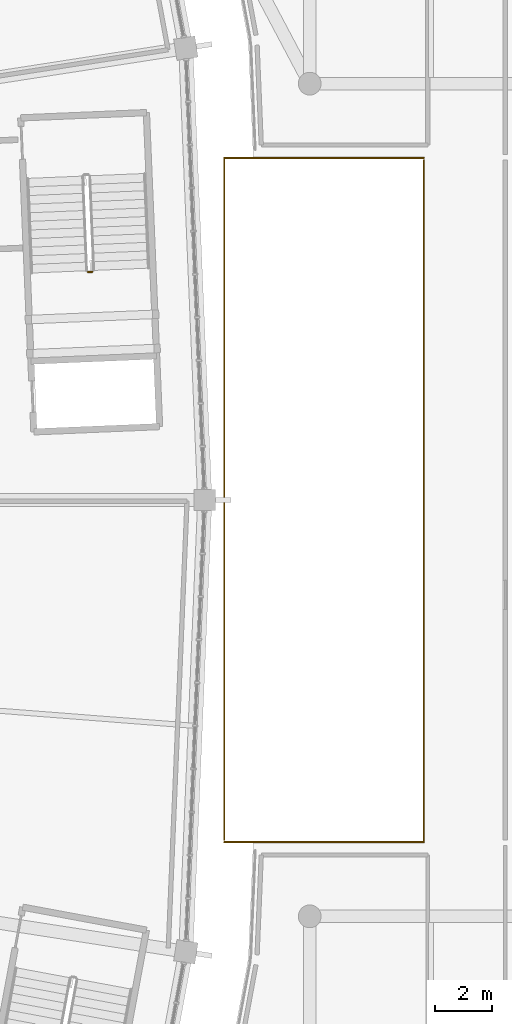
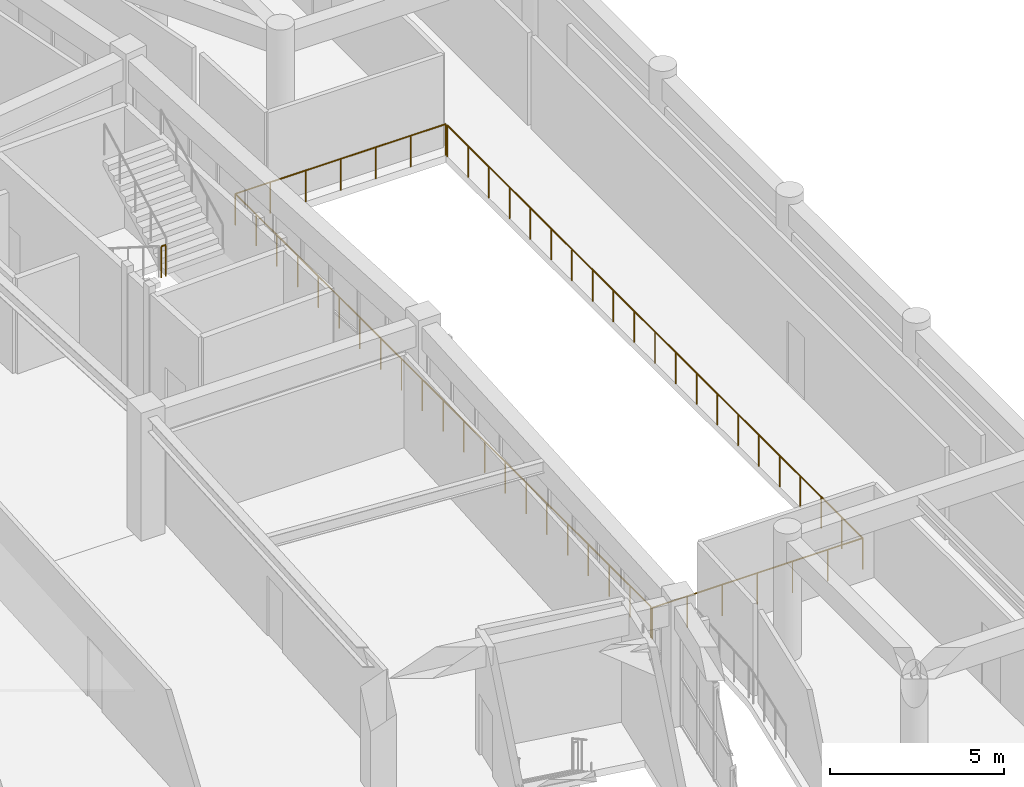
# One storey, part 129 of 141: 3 railings.
"""IFC4 building model written with IfcOpenShell, lengths in metres."""

from ifc_helpers import new_model, si_unit, direction, frame, origin, origin_2d, place, context, subcontext, project, spatial, circle, extrude, material, type_object, element, save


model = new_model("IFC4")

# Units and contexts
model_context = context("Model", 3, precision=1e-05, world=origin(), true_north=direction((0.0, 1.0)))
body_context = subcontext(model_context, "Body", "Model", "MODEL_VIEW")
ifc_project = project(units=[si_unit("LENGTHUNIT", "METRE"), si_unit("AREAUNIT", "SQUARE_METRE"), si_unit("VOLUMEUNIT", "CUBIC_METRE"), si_unit("PLANEANGLEUNIT", "RADIAN"), si_unit("MASSUNIT", "GRAM", prefix="KILO")], contexts=[model_context])

# Site, building, storey
site_placement = place(None, origin())
site = spatial("IfcSite", under=ifc_project, at=site_placement, CompositionType="ELEMENT")
building_placement = place(site_placement, origin())
building = spatial("IfcBuilding", under=site, at=building_placement, Name="Mphavela Belvedere Stadium", CompositionType="ELEMENT")
storey_placement = place(building_placement, frame((0.0, 0.0, 14.699951171875)))
storey = spatial("IfcBuildingStorey", under=building, at=storey_placement, Name="L03", CompositionType="ELEMENT", Elevation=14.699951171875)

# Railings
ifc_material_1 = material(Name="Bronze and laminated glass stadium balustrade", Category="glass")
railing_type_1 = type_object("IfcRailingType", Name="RAL-BALUSTRADE-1120", PredefinedType="BALUSTRADE", material=ifc_material_1)
railing_1_placement = place(storey_placement, frame((218.5, 75.0, 0.0)))
element("IfcRailing", 1, at=railing_1_placement, inside=storey, type_object=railing_type_1, Name="East Planted Eaves Peristyle Colonnade court balustrade L03-A", PredefinedType="BALUSTRADE", context=body_context, shape_type="SweptSolid", body=[
    extrude(circle(Radius=0.02392578125, at=origin_2d()), frame((0.0, 0.0, 1.09619140625), z_axis=(1.0, 0.0, 0.0), x_axis=(0.0, 1.0, 0.0)), (0.0, 0.0, 1.0), 7.0),
    extrude(circle(Radius=0.02392578125, at=origin_2d()), frame((7.0, 0.0, 1.09619140625), z_axis=(0.0, 1.0, 0.0), x_axis=(-1.0, 0.0, 0.0)), (0.0, 0.0, 1.0), 23.919921875),
    extrude(circle(Radius=0.02099609375, at=origin_2d()), origin(), (0.0, 0.0, 1.0), 1.072021484375),
    extrude(circle(Radius=0.02099609375, at=origin_2d()), frame((1.166748046875, 0.0, 0.0)), (0.0, 0.0, 1.0), 1.072021484375),
    extrude(circle(Radius=0.02099609375, at=origin_2d()), frame((2.333251953125, 0.0, 0.0)), (0.0, 0.0, 1.0), 1.072021484375),
    extrude(circle(Radius=0.02099609375, at=origin_2d()), frame((3.5, 0.0, 0.0)), (0.0, 0.0, 1.0), 1.072021484375),
    extrude(circle(Radius=0.02099609375, at=origin_2d()), frame((4.666748046875, 0.0, 0.0)), (0.0, 0.0, 1.0), 1.072021484375),
    extrude(circle(Radius=0.02099609375, at=origin_2d()), frame((5.833251953125, 0.0, 0.0)), (0.0, 0.0, 1.0), 1.072021484375),
    extrude(circle(Radius=0.02099609375, at=origin_2d()), frame((7.0, 0.0, 0.0)), (0.0, 0.0, 1.0), 1.072021484375),
    extrude(circle(Radius=0.02099609375, at=origin_2d()), frame((7.0, 1.196044921875, 0.0)), (0.0, 0.0, 1.0), 1.072021484375),
    extrude(circle(Radius=0.02099609375, at=origin_2d()), frame((7.0, 2.39208984375, 0.0)), (0.0, 0.0, 1.0), 1.072021484375),
    extrude(circle(Radius=0.02099609375, at=origin_2d()), frame((7.0, 3.587890625, 0.0)), (0.0, 0.0, 1.0), 1.072021484375),
    extrude(circle(Radius=0.02099609375, at=origin_2d()), frame((7.0, 4.783935546875, 0.0)), (0.0, 0.0, 1.0), 1.072021484375),
    extrude(circle(Radius=0.02099609375, at=origin_2d()), frame((7.0, 5.97998046875, 0.0)), (0.0, 0.0, 1.0), 1.072021484375),
    extrude(circle(Radius=0.02099609375, at=origin_2d()), frame((7.0, 7.176025390625, 0.0)), (0.0, 0.0, 1.0), 1.072021484375),
    extrude(circle(Radius=0.02099609375, at=origin_2d()), frame((7.0, 8.3720703125, 0.0)), (0.0, 0.0, 1.0), 1.072021484375),
    extrude(circle(Radius=0.02099609375, at=origin_2d()), frame((7.0, 9.56787109375, 0.0)), (0.0, 0.0, 1.0), 1.072021484375),
    extrude(circle(Radius=0.02099609375, at=origin_2d()), frame((7.0, 10.763916015625, 0.0)), (0.0, 0.0, 1.0), 1.072021484375),
    extrude(circle(Radius=0.02099609375, at=origin_2d()), frame((7.0, 11.9599609375, 0.0)), (0.0, 0.0, 1.0), 1.072021484375),
    extrude(circle(Radius=0.02099609375, at=origin_2d()), frame((7.0, 13.156005859375, 0.0)), (0.0, 0.0, 1.0), 1.072021484375),
    extrude(circle(Radius=0.02099609375, at=origin_2d()), frame((7.0, 14.35205078125, 0.0)), (0.0, 0.0, 1.0), 1.072021484375),
    extrude(circle(Radius=0.02099609375, at=origin_2d()), frame((7.0, 15.5478515625, 0.0)), (0.0, 0.0, 1.0), 1.072021484375),
    extrude(circle(Radius=0.02099609375, at=origin_2d()), frame((7.0, 16.743896484375, 0.0)), (0.0, 0.0, 1.0), 1.072021484375),
    extrude(circle(Radius=0.02099609375, at=origin_2d()), frame((7.0, 17.93994140625, 0.0)), (0.0, 0.0, 1.0), 1.072021484375),
    extrude(circle(Radius=0.02099609375, at=origin_2d()), frame((7.0, 19.135986328125, 0.0)), (0.0, 0.0, 1.0), 1.072021484375),
    extrude(circle(Radius=0.02099609375, at=origin_2d()), frame((7.0, 20.33203125, 0.0)), (0.0, 0.0, 1.0), 1.072021484375),
    extrude(circle(Radius=0.02099609375, at=origin_2d()), frame((7.0, 21.52783203125, 0.0)), (0.0, 0.0, 1.0), 1.072021484375),
    extrude(circle(Radius=0.02099609375, at=origin_2d()), frame((7.0, 22.723876953125, 0.0)), (0.0, 0.0, 1.0), 1.072021484375),
    extrude(circle(Radius=0.02099609375, at=origin_2d()), frame((7.0, 23.919921875, 0.0)), (0.0, 0.0, 1.0), 1.072021484375),
])
railing_2_placement = place(storey_placement, frame((225.5, 99.0, 0.0)))
element("IfcRailing", 2, at=railing_2_placement, inside=storey, type_object=railing_type_1, Name="East Planted Eaves Peristyle Colonnade court balustrade L03-B", PredefinedType="BALUSTRADE", context=body_context, shape_type="SweptSolid", body=[
    extrude(circle(Radius=0.02392578125, at=origin_2d()), frame((0.0, 0.0, 1.09619140625), z_axis=(-1.0, 0.0, 0.0), x_axis=(0.0, -1.0, 0.0)), (0.0, 0.0, 1.0), 7.0),
    extrude(circle(Radius=0.02392578125, at=origin_2d()), frame((-7.0, 0.0, 1.09619140625), z_axis=(0.0, -1.0, 0.0), x_axis=(1.0, 0.0, 0.0)), (0.0, 0.0, 1.0), 23.919921875),
    extrude(circle(Radius=0.02099609375, at=origin_2d()), origin(), (0.0, 0.0, 1.0), 1.072021484375),
    extrude(circle(Radius=0.02099609375, at=origin_2d()), frame((-1.166748046875, 0.0, 0.0)), (0.0, 0.0, 1.0), 1.072021484375),
    extrude(circle(Radius=0.02099609375, at=origin_2d()), frame((-2.333251953125, 0.0, 0.0)), (0.0, 0.0, 1.0), 1.072021484375),
    extrude(circle(Radius=0.02099609375, at=origin_2d()), frame((-3.5, 0.0, 0.0)), (0.0, 0.0, 1.0), 1.072021484375),
    extrude(circle(Radius=0.02099609375, at=origin_2d()), frame((-4.666748046875, 0.0, 0.0)), (0.0, 0.0, 1.0), 1.072021484375),
    extrude(circle(Radius=0.02099609375, at=origin_2d()), frame((-5.833251953125, 0.0, 0.0)), (0.0, 0.0, 1.0), 1.072021484375),
    extrude(circle(Radius=0.02099609375, at=origin_2d()), frame((-7.0, 0.0, 0.0)), (0.0, 0.0, 1.0), 1.072021484375),
    extrude(circle(Radius=0.02099609375, at=origin_2d()), frame((-7.0, -1.196044921875, 0.0)), (0.0, 0.0, 1.0), 1.072021484375),
    extrude(circle(Radius=0.02099609375, at=origin_2d()), frame((-7.0, -2.39208984375, 0.0)), (0.0, 0.0, 1.0), 1.072021484375),
    extrude(circle(Radius=0.02099609375, at=origin_2d()), frame((-7.0, -3.587890625, 0.0)), (0.0, 0.0, 1.0), 1.072021484375),
    extrude(circle(Radius=0.02099609375, at=origin_2d()), frame((-7.0, -4.783935546875, 0.0)), (0.0, 0.0, 1.0), 1.072021484375),
    extrude(circle(Radius=0.02099609375, at=origin_2d()), frame((-7.0, -5.97998046875, 0.0)), (0.0, 0.0, 1.0), 1.072021484375),
    extrude(circle(Radius=0.02099609375, at=origin_2d()), frame((-7.0, -7.176025390625, 0.0)), (0.0, 0.0, 1.0), 1.072021484375),
    extrude(circle(Radius=0.02099609375, at=origin_2d()), frame((-7.0, -8.3720703125, 0.0)), (0.0, 0.0, 1.0), 1.072021484375),
    extrude(circle(Radius=0.02099609375, at=origin_2d()), frame((-7.0, -9.56787109375, 0.0)), (0.0, 0.0, 1.0), 1.072021484375),
    extrude(circle(Radius=0.02099609375, at=origin_2d()), frame((-7.0, -10.763916015625, 0.0)), (0.0, 0.0, 1.0), 1.072021484375),
    extrude(circle(Radius=0.02099609375, at=origin_2d()), frame((-7.0, -11.9599609375, 0.0)), (0.0, 0.0, 1.0), 1.072021484375),
    extrude(circle(Radius=0.02099609375, at=origin_2d()), frame((-7.0, -13.156005859375, 0.0)), (0.0, 0.0, 1.0), 1.072021484375),
    extrude(circle(Radius=0.02099609375, at=origin_2d()), frame((-7.0, -14.35205078125, 0.0)), (0.0, 0.0, 1.0), 1.072021484375),
    extrude(circle(Radius=0.02099609375, at=origin_2d()), frame((-7.0, -15.5478515625, 0.0)), (0.0, 0.0, 1.0), 1.072021484375),
    extrude(circle(Radius=0.02099609375, at=origin_2d()), frame((-7.0, -16.743896484375, 0.0)), (0.0, 0.0, 1.0), 1.072021484375),
    extrude(circle(Radius=0.02099609375, at=origin_2d()), frame((-7.0, -17.93994140625, 0.0)), (0.0, 0.0, 1.0), 1.072021484375),
    extrude(circle(Radius=0.02099609375, at=origin_2d()), frame((-7.0, -19.135986328125, 0.0)), (0.0, 0.0, 1.0), 1.072021484375),
    extrude(circle(Radius=0.02099609375, at=origin_2d()), frame((-7.0, -20.33203125, 0.0)), (0.0, 0.0, 1.0), 1.072021484375),
    extrude(circle(Radius=0.02099609375, at=origin_2d()), frame((-7.0, -21.52783203125, 0.0)), (0.0, 0.0, 1.0), 1.072021484375),
    extrude(circle(Radius=0.02099609375, at=origin_2d()), frame((-7.0, -22.723876953125, 0.0)), (0.0, 0.0, 1.0), 1.072021484375),
    extrude(circle(Radius=0.02099609375, at=origin_2d()), frame((-7.0, -23.919921875, 0.0)), (0.0, 0.0, 1.0), 1.072021484375),
])
ifc_material_2 = material(Name="Painted galvanised steel stair guardrail", Category="steel")
railing_type_2 = type_object("IfcRailingType", Name="RAL-GUARD-1120", PredefinedType="GUARDRAIL", material=ifc_material_2)
railing_3_placement = place(storey_placement, frame((213.72412109375, 94.992431640625, 2.25)))
element("IfcRailing", 3, at=railing_3_placement, inside=storey, type_object=railing_type_2, Name="L03 ST-C01 stair guard 2", PredefinedType="GUARDRAIL", context=body_context, shape_type="SweptSolid", body=[
    extrude(circle(Radius=0.02392578125, at=origin_2d()), frame((0.0, 0.0, 1.09619140625), z_axis=(0.999104642697, 0.04230736272, 0.0), x_axis=(-0.04230736272, 0.999104642697, 0.0)), (0.0, 0.0, 1.0), 0.150146484375),
    extrude(circle(Radius=0.02099609375, at=origin_2d()), origin(), (0.0, 0.0, 1.0), 1.072021484375),
    extrude(circle(Radius=0.02099609375, at=origin_2d()), frame((0.14990234375, 0.00634765625, 0.0)), (0.0, 0.0, 1.0), 1.072021484375),
])

save(model, "model.ifc")
